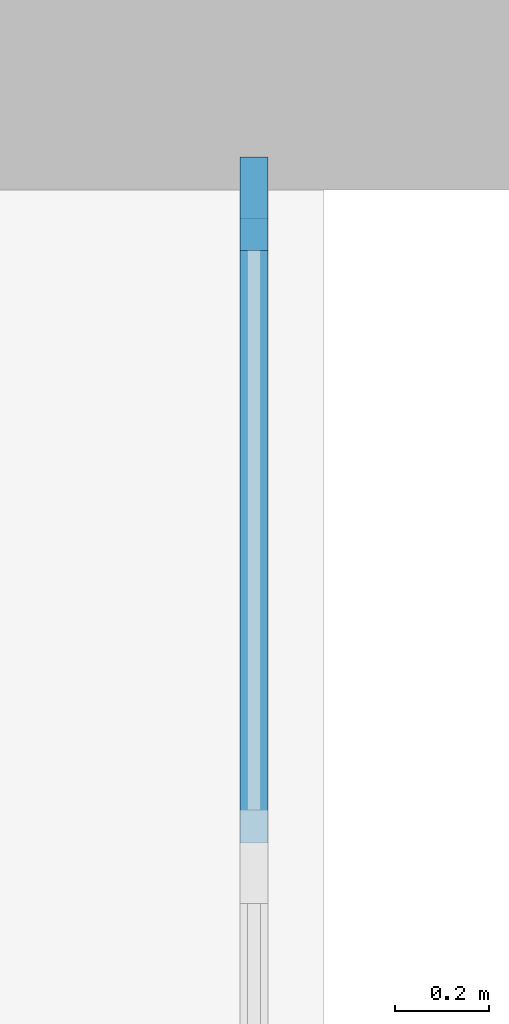
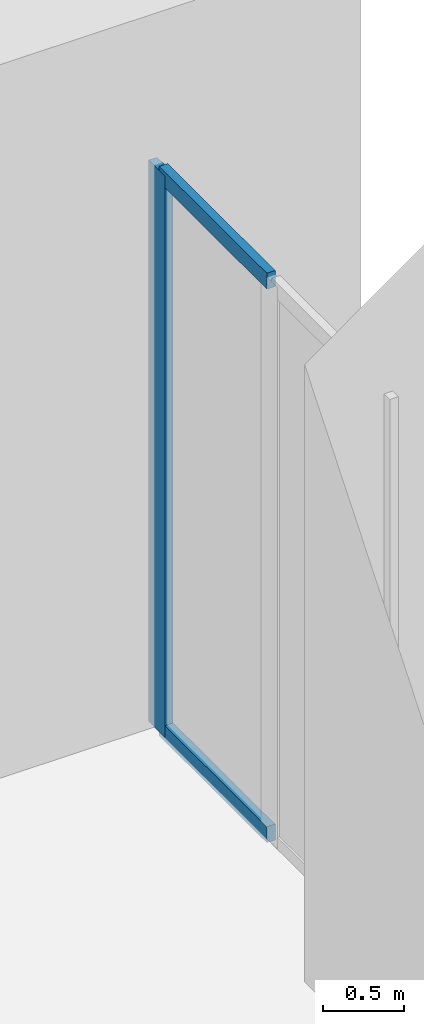
# One storey, part 7 of 44: 3 members, 1 element without a shape of its own.
"""IFC4 building model written with IfcOpenShell, lengths in metres."""

from ifc_helpers import new_model, si_unit, direction, frame, origin, origin_2d, place, context, subcontext, project, spatial, rectangle, extrude, material, material_profile, profile_set, type_object, element, aggregate, save


model = new_model("IFC4")

# Units and contexts
model_context = context("Model", 3, precision=1e-05, world=origin(), true_north=direction((0.0, 1.0)))
body_context = subcontext(model_context, "Body", "Model", "MODEL_VIEW")
ifc_project = project(units=[si_unit("LENGTHUNIT", "METRE"), si_unit("AREAUNIT", "SQUARE_METRE"), si_unit("VOLUMEUNIT", "CUBIC_METRE"), si_unit("PLANEANGLEUNIT", "RADIAN"), si_unit("MASSUNIT", "GRAM", prefix="KILO")], contexts=[model_context])

# Site, building, storey
site_placement = place(None, origin())
site = spatial("IfcSite", under=ifc_project, at=site_placement, CompositionType="ELEMENT")
building_placement = place(site_placement, origin())
building = spatial("IfcBuilding", under=site, at=building_placement, Name="Hunhe Ridgeline Campus", CompositionType="ELEMENT")
storey_placement = place(building_placement, frame((0.0, 0.0, 6.0)))
storey = spatial("IfcBuildingStorey", under=building, at=storey_placement, Name="L01", CompositionType="ELEMENT", Elevation=6.0)

# Curtain wall, members
ifc_material_1 = material(Name="Aluminium and glass", Category="aluminium")
curtain_wall_type = type_object("IfcCurtainWallType", Name="Podium curtain wall CW-2", PredefinedType="NOTDEFINED", material=ifc_material_1)
curtain_wall_placement = place(storey_placement, origin())
curtain_wall = element("IfcCurtainWall", 1, at=curtain_wall_placement, inside=storey, type_object=curtain_wall_type, Name="L01 podium curtain wall 8", PredefinedType="NOTDEFINED")
ifc_material_2 = material(Name="Aluminium", Category="aluminium")
ifc_material_profile_1 = material_profile(ifc_material_2, rectangle(XDim=0.06005859375, YDim=0.199951171875, at=origin_2d()))
ifc_profile_set_1 = profile_set([ifc_material_profile_1], Name="Aluminium")
member_type_1 = type_object("IfcMemberType", Name="CW-2 mullion 60x200", PredefinedType="MULLION", material=ifc_profile_set_1)
member_1_placement = place(storey_placement, frame((98.85009765625, 93.570068359375, 0.0), z_axis=(0.0, 0.0, 1.0), x_axis=(-1.0, 0.0, 0.0)))
member_1 = element("IfcMember", 2, at=member_1_placement, type_object=member_type_1, Name="CW2 mullion 3", PredefinedType="MULLION", context=body_context, shape_type="SweptSolid", body=[
    extrude(rectangle(XDim=0.06005859375, YDim=0.199951171875, at=origin_2d()), origin(), (0.0, 0.0, 1.0), 4.25),
])
ifc_material_profile_2 = material_profile(ifc_material_2, rectangle(XDim=0.06005859375, YDim=0.1201171875, at=origin_2d()))
ifc_profile_set_2 = profile_set([ifc_material_profile_2], Name="Aluminium")
member_type_2 = type_object("IfcMemberType", Name="CW-2 transom 60x120", PredefinedType="USERDEFINED", material=ifc_profile_set_2)
member_2_placement = place(storey_placement, frame((98.85009765625, 92.205078125, 0.030029296875), z_axis=(0.0, 1.0, 0.0), x_axis=(-1.0, 0.0, 0.0)))
member_2 = element("IfcMember", 3, at=member_2_placement, type_object=member_type_2, Name="CW2 transom 2.1", ObjectType="TRANSOM", PredefinedType="USERDEFINED", context=body_context, shape_type="SweptSolid", body=[
    extrude(rectangle(XDim=0.06005859375, YDim=0.1201171875, at=origin_2d()), origin(), (0.0, 0.0, 1.0), 1.3349609375),
])
member_3_placement = place(storey_placement, frame((98.85009765625, 92.205078125, 4.219970703125), z_axis=(0.0, 1.0, 0.0), x_axis=(-1.0, 0.0, 0.0)))
member_3 = element("IfcMember", 4, at=member_3_placement, type_object=member_type_2, Name="CW2 transom 2.2", ObjectType="TRANSOM", PredefinedType="USERDEFINED", context=body_context, shape_type="SweptSolid", body=[
    extrude(rectangle(XDim=0.06005859375, YDim=0.1201171875, at=origin_2d()), origin(), (0.0, 0.0, 1.0), 1.3349609375),
])
aggregate(curtain_wall, [member_1, member_2, member_3])

save(model, "model.ifc")
